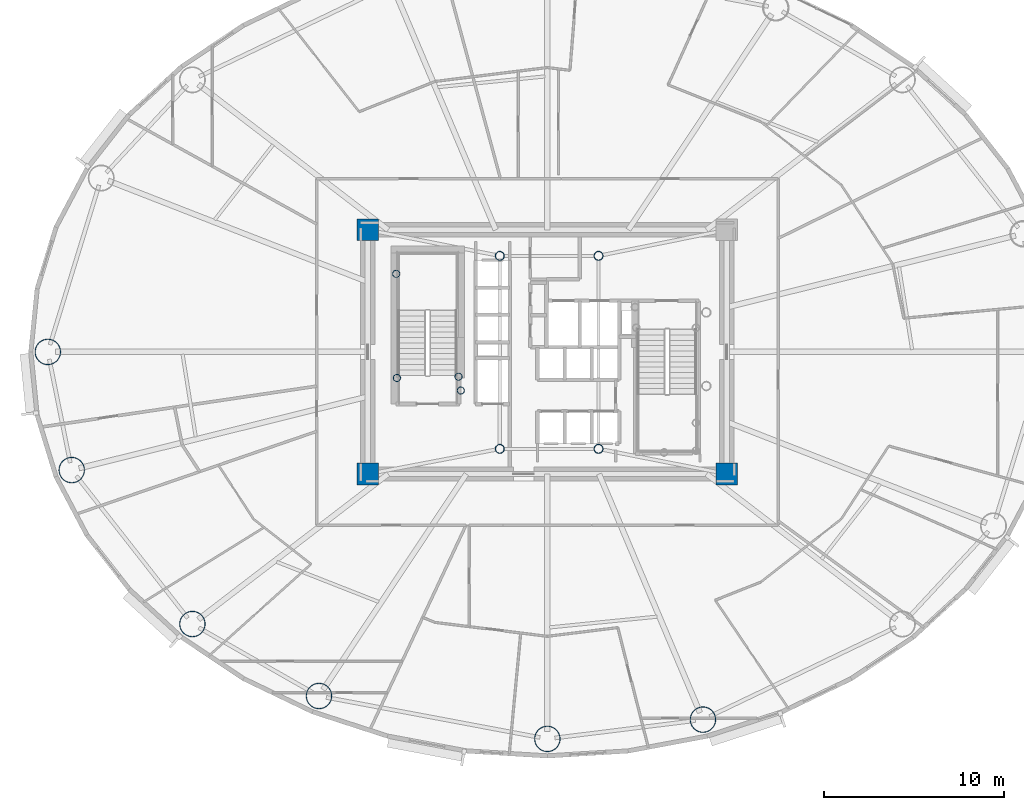
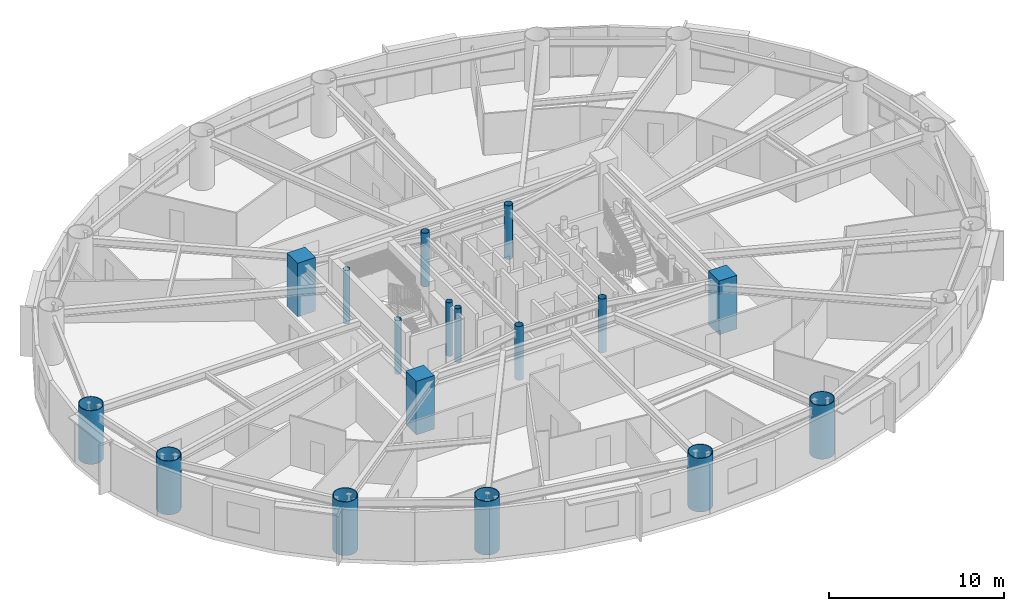
# One storey, part 1 of 17: 17 columns.
"""IFC4 building model written with IfcOpenShell, lengths in metres."""

import ifcopenshell
import ifcopenshell.guid

model = None  # the IFC model being written
_history = None  # IfcOwnerHistory: only IFC2X3 demands one
_inside = {}  # id of a spatial element -> (the spatial element, [elements in it])
_under = {}  # id of a project, library or spatial element -> (it, [spatial elements below it])
_declared = {}  # id of a project -> (the project, [libraries it declares])
_typed = {}  # id of a type object -> (the type object, [elements of that type])
_made_of = {}  # id of a material, layer set ... -> (it, [elements and type objects made of it])


def new_model(schema):
    """Start an empty IFC model of exactly this schema.

    Asked for "IFC4X3", IfcOpenShell would pick the latest addendum, in which some entities
    have other attributes; the version numbers below select the first issue.
    IFC2X3 requires an IfcOwnerHistory on every rooted entity: one is made here for all.
    """
    global model, _history
    if schema == "IFC4X3":
        model = ifcopenshell.file(schema_version=(4, 3, 0, 0))
    else:
        model = ifcopenshell.file(schema=schema)
    _inside.clear()
    _under.clear()
    _declared.clear()
    _typed.clear()
    _made_of.clear()
    _history = None
    if model.schema == "IFC2X3":
        org = make("IfcOrganization", Name="unknown")
        user = make(
            "IfcPersonAndOrganization",
            ThePerson=make("IfcPerson", FamilyName="unknown"),
            TheOrganization=org,
        )
        app = make(
            "IfcApplication",
            ApplicationDeveloper=org,
            Version="unknown",
            ApplicationFullName="unknown",
            ApplicationIdentifier="unknown",
        )
        _history = make(
            "IfcOwnerHistory",
            OwningUser=user,
            OwningApplication=app,
            ChangeAction="ADDED",
            CreationDate=0,
        )
    return model


def make(cls, **values):
    """One entity of the class cls with the attributes given. An attribute that is None is left unset."""
    return model.create_entity(
        cls, **{name: value for name, value in values.items() if value is not None}
    )


def rooted(cls, **values):
    """An entity with a GlobalId (a new one), such as an element, a storey or a relation."""
    return make(cls, GlobalId=ifcopenshell.guid.new(), OwnerHistory=_history, **values)


def si_unit(unit_type, name, prefix=None):
    """IfcSIUnit, for example si_unit("LENGTHUNIT", "METRE", prefix="MILLI")."""
    return make("IfcSIUnit", UnitType=unit_type, Prefix=prefix, Name=name)


def assignment(units):
    """IfcUnitAssignment: the units of a project."""
    return None if units is None else make("IfcUnitAssignment", Units=units)


def point(xyz):
    """IfcCartesianPoint."""
    return None if xyz is None else make("IfcCartesianPoint", Coordinates=xyz)


def direction(xyz):
    """IfcDirection."""
    return None if xyz is None else make("IfcDirection", DirectionRatios=xyz)


def frame(location, z_axis=None, x_axis=None):
    """IfcAxis2Placement3D, a coordinate frame: its origin and axes. An axis left out is left unset."""
    return make(
        "IfcAxis2Placement3D",
        Location=point(location),
        Axis=direction(z_axis),
        RefDirection=direction(x_axis),
    )


def frame_2d(location, x_axis=None):
    """IfcAxis2Placement2D, a coordinate frame in the plane: its origin and x axis."""
    return make(
        "IfcAxis2Placement2D", Location=point(location), RefDirection=direction(x_axis)
    )


def origin():
    """The frame at (0, 0, 0) with its axes left unset."""
    return frame((0.0, 0.0, 0.0))


def origin_2d():
    """The frame at (0, 0) in the plane with its x axis left unset."""
    return frame_2d((0.0, 0.0))


def place(relative_to, where):
    """IfcLocalPlacement: puts the frame where relative to a parent placement (None: the world)."""
    return make(
        "IfcLocalPlacement", PlacementRelTo=relative_to, RelativePlacement=where
    )


def context(
    kind, dimensions, precision=None, world=None, true_north=None, identifier=None
):
    """IfcGeometricRepresentationContext, for example the 3D "Model" context."""
    return make(
        "IfcGeometricRepresentationContext",
        ContextIdentifier=identifier,
        ContextType=kind,
        CoordinateSpaceDimension=dimensions,
        Precision=precision,
        WorldCoordinateSystem=world,
        TrueNorth=true_north,
    )


def subcontext(parent, identifier, kind, view, scale=None):
    """IfcGeometricRepresentationSubContext, for example "Body" below "Model"."""
    return make(
        "IfcGeometricRepresentationSubContext",
        ContextIdentifier=identifier,
        ContextType=kind,
        ParentContext=parent,
        TargetScale=scale,
        TargetView=view,
    )


def project(units=None, contexts=None):
    """IfcProject with its units and contexts."""
    return rooted(
        "IfcProject",
        Name="project",
        RepresentationContexts=contexts,
        UnitsInContext=assignment(units),
    )


def spatial(cls, under=None, at=None, **own):
    """A site, building, storey or space (cls), placed at a placement, below another one or the project."""
    s = rooted(cls, ObjectPlacement=at, **own)
    if under is not None:
        _under.setdefault(under.id(), (under, []))[1].append(s)
    return s


def profile(cls, at=None, kind="AREA", **sizes):
    """A parametric profile (cls). Its sizes go by their IFC names, for example OverallWidth=200.0."""
    return make(cls, ProfileType=kind, Position=at, **sizes)


def rectangle(**sizes):
    """IfcRectangleProfileDef."""
    return profile("IfcRectangleProfileDef", **sizes)


def hollow_circle(**sizes):
    """IfcCircleHollowProfileDef."""
    return profile("IfcCircleHollowProfileDef", **sizes)


def extrude(swept, where, along, depth):
    """IfcExtrudedAreaSolid: the profile swept, set in the frame where, extruded along a direction by depth."""
    return make(
        "IfcExtrudedAreaSolid",
        SweptArea=swept,
        Position=where,
        ExtrudedDirection=direction(along),
        Depth=depth,
    )


def shape(context_of_items, identifier, shape_type, items):
    """IfcShapeRepresentation: the items that make up one representation, for example the "Body"."""
    return make(
        "IfcShapeRepresentation",
        ContextOfItems=context_of_items,
        RepresentationIdentifier=identifier,
        RepresentationType=shape_type,
        Items=items,
    )


def material(Name=None, Category=None):
    """IfcMaterial."""
    return make("IfcMaterial", Name=Name, Category=Category)


def material_profile(
    of_material, cross_section, Name=None, Category=None, Priority=None
):
    """IfcMaterialProfile: a cross section and its material."""
    return make(
        "IfcMaterialProfile",
        Name=Name,
        Material=of_material,
        Profile=cross_section,
        Priority=Priority,
        Category=Category,
    )


def profile_set(profiles, Name=None, composite=None):
    """IfcMaterialProfileSet."""
    return make(
        "IfcMaterialProfileSet",
        Name=Name,
        MaterialProfiles=profiles,
        CompositeProfile=composite,
    )


def made_of(thing, what):
    """Note that an element or type object is made of a material, layer set ...; save() writes the relation."""
    if what is not None:
        _made_of.setdefault(what.id(), (what, []))[1].append(thing)
    return thing


def type_object(cls, material=None, **own):
    """A type object (cls), such as IfcWallType, which elements share."""
    return made_of(rooted(cls, **own), material)


def element(
    cls,
    number,
    at=None,
    inside=None,
    cuts=None,
    type_object=None,
    material=None,
    context=None,
    identifier="Body",
    shape_type=None,
    held_by="IfcProductDefinitionShape",
    body=None,
    shapes=None,
    **own,
):
    """One element of the class cls, such as IfcWall. Its Tag is "e" and its number.

    at: its placement. inside: the storey or other place that contains it. cuts: it is an
    opening in that element (IfcRelVoidsElement). A single representation is given by context,
    identifier, shape_type and body (its items); several are given by shapes. held_by: the class
    of the entity that holds the representations. save() writes the other relations.
    """
    e = rooted(cls, Tag="e%d" % number, ObjectPlacement=at, **own)
    if body is not None:
        shapes = [shape(context, identifier, shape_type, body)]
    if shapes is not None:
        e.Representation = make(held_by, Representations=shapes)
    if inside is not None:
        _inside.setdefault(inside.id(), (inside, []))[1].append(e)
    if cuts is not None:
        rooted(
            "IfcRelVoidsElement", RelatingBuildingElement=cuts, RelatedOpeningElement=e
        )
    if type_object is not None:
        _typed.setdefault(type_object.id(), (type_object, []))[1].append(e)
    return made_of(e, material)


def aggregate(whole, parts):
    """IfcRelAggregates: a whole, such as a stair, and the parts it consists of."""
    return rooted("IfcRelAggregates", RelatingObject=whole, RelatedObjects=parts)


def save(model, path):
    """Write the relations noted so far, then the file.

    IfcRelAggregates (storeys below a building ...), IfcRelContainedInSpatialStructure (elements
    in a storey), IfcRelDefinesByType, IfcRelAssociatesMaterial and IfcRelDeclares: one each for
    every whole, place, type object, material and project.
    """
    for whole, parts in _under.values():
        aggregate(whole, parts)
    for where, things in _inside.values():
        rooted(
            "IfcRelContainedInSpatialStructure",
            RelatedElements=things,
            RelatingStructure=where,
        )
    for kind, things in _typed.values():
        rooted("IfcRelDefinesByType", RelatedObjects=things, RelatingType=kind)
    for what, things in _made_of.values():
        rooted("IfcRelAssociatesMaterial", RelatedObjects=things, RelatingMaterial=what)
    for by, libraries in _declared.values():
        rooted("IfcRelDeclares", RelatingContext=by, RelatedDefinitions=libraries)
    model.write(path)


model = new_model("IFC4")

# Units and contexts
model_context = context("Model", 3, precision=1e-05, world=origin(), true_north=direction((0.0, 1.0)))
body_context = subcontext(model_context, "Body", "Model", "MODEL_VIEW")
ifc_project = project(units=[si_unit("LENGTHUNIT", "METRE"), si_unit("AREAUNIT", "SQUARE_METRE"), si_unit("VOLUMEUNIT", "CUBIC_METRE"), si_unit("PLANEANGLEUNIT", "RADIAN"), si_unit("MASSUNIT", "GRAM", prefix="KILO")], contexts=[model_context])

# Site, building, storey
site_placement = place(None, origin())
site = spatial("IfcSite", under=ifc_project, at=site_placement, CompositionType="ELEMENT")
building_placement = place(site_placement, origin())
building = spatial("IfcBuilding", under=site, at=building_placement, Name="Linh Dai School and Residence Tower", CompositionType="ELEMENT")
storey_placement = place(building_placement, frame((0.0, 0.0, 142.199951171875)))
storey = spatial("IfcBuildingStorey", under=building, at=storey_placement, Name="L34", CompositionType="ELEMENT", Elevation=142.199951171875)

# Columns
ifc_material_1 = material(Name="Concrete B60 (C50/60)", Category="concrete")
ifc_material_profile_1 = material_profile(ifc_material_1, rectangle(XDim=1.199951171875, YDim=1.199951171875, at=origin_2d()), Name="RC 1200x1200")
ifc_profile_set_1 = profile_set([ifc_material_profile_1], Name="Concrete B60 (C50/60)")
column_type_1 = type_object("IfcColumnType", Name="COL-CC2", PredefinedType="COLUMN", material=ifc_profile_set_1)
for number, where, z_axis, x_axis, name in (
    (1, (26.0, 20.199951171875, 0.0), (0.0, 0.0, 1.0), (1.0, 0.0, 0.0), "L34 Core Corner Pier CC1"),
    (2, (46.0, 20.199951171875, 0.0), (0.0, 0.0, 1.0), (1.0, 0.0, 0.0), "L34 Core Corner Pier CC2"),
    (3, (26.0, 33.800048828125, 0.0), (0.0, 0.0, 1.0), (1.0, 0.0, 0.0), "L34 Core Corner Pier CC4"),
):
    element("IfcColumn", number, at=place(storey_placement, frame(where, z_axis=z_axis, x_axis=x_axis)), inside=storey, type_object=column_type_1, Name=name, PredefinedType="COLUMN", context=body_context, shape_type="SweptSolid", body=[
        extrude(rectangle(XDim=1.199951171875, YDim=1.199951171875, at=origin_2d()), origin(), (0.0, 0.0, 1.0), 3.75),
    ])
ifc_material_2 = material(Name="Structural Steel S355JR", Category="steel")
ifc_material_profile_2 = material_profile(ifc_material_2, hollow_circle(Radius=0.203125, WallThickness=0.01611328125, at=origin_2d()), Name="CHS 406.4x16")
ifc_profile_set_2 = profile_set([ifc_material_profile_2], Name="Structural Steel S355JR")
column_type_2 = type_object("IfcColumnType", Name="COL-EC", PredefinedType="COLUMN", material=ifc_profile_set_2)
for number, where, z_axis, x_axis, name in (
    (4, (27.580078125, 31.35009765625, 0.0), (0.0, 0.0, 1.0), (1.0, 0.0, 0.0), "L34 Stair Shaft Landing Support Pier ST1NW"),
    (5, (31.050048828125, 25.6201171875, 0.0), (0.0, 0.0, 1.0), (1.0, 0.0, 0.0), "L34 Stair Shaft Landing Support Pier ST1SE"),
    (6, (31.179931640625, 24.85009765625, 0.0), (0.0, 0.0, 1.0), (1.0, 0.0, 0.0), "L34 Stair Shaft Landing Support Pier ST1SM"),
    (7, (27.6201171875, 25.550048828125, 0.0), (0.0, 0.0, 1.0), (1.0, 0.0, 0.0), "L34 Stair Shaft Landing Support Pier ST1SW"),
):
    element("IfcColumn", number, at=place(storey_placement, frame(where, z_axis=z_axis, x_axis=x_axis)), inside=storey, type_object=column_type_2, Name=name, PredefinedType="COLUMN", context=body_context, shape_type="SweptSolid", body=[
        extrude(hollow_circle(Radius=0.203125, WallThickness=0.01611328125, at=origin_2d()), origin(), (0.0, 0.0, 1.0), 3.75),
    ])
ifc_material_profile_3 = material_profile(ifc_material_2, hollow_circle(Radius=0.72509765625, WallThickness=0.0419921875, at=origin_2d()), Name="CHS 1450x42")
ifc_profile_set_3 = profile_set([ifc_material_profile_3], Name="Structural Steel S355JR")
column_type_3 = type_object("IfcColumnType", Name="COL-MC3", PredefinedType="COLUMN", material=ifc_profile_set_3)
for number, where, z_axis, x_axis, name in (
    (8, (8.175048828125, 27.0, 0.0), (0.0, 0.0, 1.0), (1.0, 0.0, 0.0), "L34 Perimeter CFT Mega-Column MC09"),
    (9, (9.50732421875, 20.4189453125, 0.0), (0.0, 0.0, 1.0), (1.0, 0.0, 0.0), "L34 Perimeter CFT Mega-Column MC10"),
    (10, (16.227294921875, 11.844482421875, 0.0), (0.0, 0.0, 1.0), (1.0, 0.0, 0.0), "L34 Perimeter CFT Mega-Column MC11"),
    (11, (23.278076171875, 7.8349609375, 0.0), (0.0, 0.0, 1.0), (1.0, 0.0, 0.0), "L34 Perimeter CFT Mega-Column MC12"),
    (12, (36.0, 5.445068359375, 0.0), (0.0, 0.0, 1.0), (1.0, 0.0, 0.0), "L34 Perimeter CFT Mega-Column MC13"),
    (13, (44.66552734375, 6.519287109375, 0.0), (0.0, 0.0, 1.0), (1.0, 0.0, 0.0), "L34 Perimeter CFT Mega-Column MC14"),
):
    element("IfcColumn", number, at=place(storey_placement, frame(where, z_axis=z_axis, x_axis=x_axis)), inside=storey, type_object=column_type_3, Name=name, PredefinedType="COLUMN", context=body_context, shape_type="SweptSolid", body=[
        extrude(hollow_circle(Radius=0.72509765625, WallThickness=0.0419921875, at=origin_2d()), origin(), (0.0, 0.0, 1.0), 3.75),
    ])
ifc_material_profile_4 = material_profile(ifc_material_2, hollow_circle(Radius=0.25390625, WallThickness=0.02001953125, at=origin_2d()), Name="CHS 508x20")
ifc_profile_set_4 = profile_set([ifc_material_profile_4], Name="Structural Steel S355JR")
column_type_4 = type_object("IfcColumnType", Name="COL-MCP", PredefinedType="COLUMN", material=ifc_profile_set_4)
for number, where, z_axis, x_axis, name in (
    (14, (33.35009765625, 21.60009765625, 0.0), (0.0, 0.0, 1.0), (1.0, 0.0, 0.0), "L34 Core Mast Support Pier MCP1"),
    (15, (38.85009765625, 21.60009765625, 0.0), (0.0, 0.0, 1.0), (1.0, 0.0, 0.0), "L34 Core Mast Support Pier MCP2"),
    (16, (38.85009765625, 32.35009765625, 0.0), (0.0, 0.0, 1.0), (1.0, 0.0, 0.0), "L34 Core Mast Support Pier MCP3"),
    (17, (33.35009765625, 32.35009765625, 0.0), (0.0, 0.0, 1.0), (1.0, 0.0, 0.0), "L34 Core Mast Support Pier MCP4"),
):
    element("IfcColumn", number, at=place(storey_placement, frame(where, z_axis=z_axis, x_axis=x_axis)), inside=storey, type_object=column_type_4, Name=name, PredefinedType="COLUMN", context=body_context, shape_type="SweptSolid", body=[
        extrude(hollow_circle(Radius=0.25390625, WallThickness=0.02001953125, at=origin_2d()), origin(), (0.0, 0.0, 1.0), 3.75),
    ])

save(model, "model.ifc")
